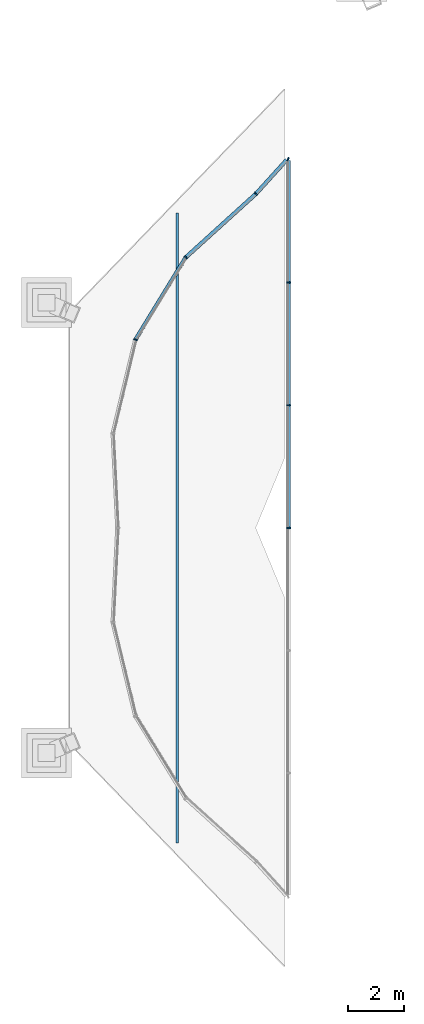
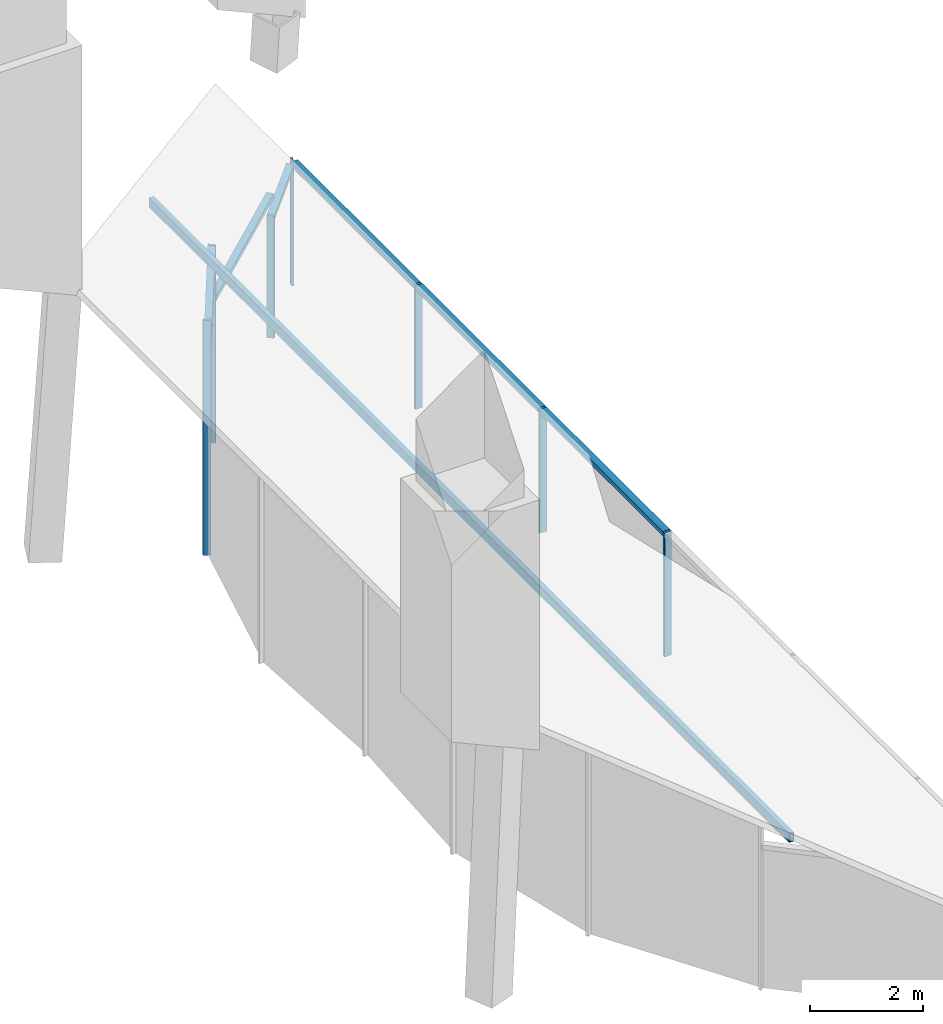
# One storey, part 6 of 8: 14 members, 3 elements without a shape of their own.
"""IFC4 building model written with IfcOpenShell, lengths in metres."""

from ifc_helpers import new_model, si_unit, direction, frame, origin, origin_2d, place, context, subcontext, project, spatial, rectangle, hollow_rectangle, extrude, material, material_profile, profile_set, type_object, element, aggregate, save


model = new_model("IFC4")

# Units and contexts
model_context = context("Model", 3, precision=1e-05, world=origin(), true_north=direction((0.0, 1.0)))
body_context = subcontext(model_context, "Body", "Model", "MODEL_VIEW")
ifc_project = project(units=[si_unit("LENGTHUNIT", "METRE"), si_unit("AREAUNIT", "SQUARE_METRE"), si_unit("VOLUMEUNIT", "CUBIC_METRE"), si_unit("PLANEANGLEUNIT", "RADIAN"), si_unit("MASSUNIT", "GRAM", prefix="KILO")], contexts=[model_context])

# Site, building, storey
site_placement = place(None, origin())
site = spatial("IfcSite", under=ifc_project, at=site_placement, CompositionType="ELEMENT")
building_placement = place(site_placement, origin())
building = spatial("IfcBuilding", under=site, at=building_placement, Name="Ogive Gate Towers", CompositionType="ELEMENT")
storey_placement = place(building_placement, frame((0.0, 0.0, 314.0)))
storey = spatial("IfcBuildingStorey", under=building, at=storey_placement, Name="L74", CompositionType="ELEMENT", Elevation=314.0)

# Curtain wall, members
ifc_material_1 = material(Name="Pale metal aluminium", Category="aluminium")
curtain_wall_type = type_object("IfcCurtainWallType", Name="Crown lean wall", PredefinedType="NOTDEFINED", material=ifc_material_1)
curtain_wall_1_placement = place(storey_placement, origin())
curtain_wall_1 = element("IfcCurtainWall", 1, at=curtain_wall_1_placement, inside=storey, type_object=curtain_wall_type, Name="CW5 T2 ECW01", PredefinedType="NOTDEFINED")
ifc_material_profile_1 = material_profile(ifc_material_1, rectangle(XDim=0.139892578125, YDim=0.050048828125, at=origin_2d()), Name="50 x 140 aluminium box")
ifc_profile_set_1 = profile_set([ifc_material_profile_1], Name="Pale metal aluminium")
member_type_1 = type_object("IfcMemberType", Name="Crown lean wall mullion 50 x 140", PredefinedType="MULLION", material=ifc_profile_set_1)
member_1_placement = place(storey_placement, frame((24.00634765625, 11.991455078125, -0.300048828125), z_axis=(0.0, 0.0, 1.0), x_axis=(0.741121054892, -0.671371418811, 0.0)))
member_1 = element("IfcMember", 2, at=member_1_placement, type_object=member_type_1, Name="CW5 mullion", PredefinedType="MULLION", context=body_context, shape_type="SweptSolid", body=[
    extrude(rectangle(XDim=0.139892578125, YDim=0.050048828125, at=origin_2d()), origin(), (0.0, 0.0, 1.0), 2.63525390625),
])
member_2_placement = place(storey_placement, frame((25.157958984375, 13.234130859375, -0.300048828125), z_axis=(0.0, 0.0, 1.0), x_axis=(-0.359785118413, -0.933035191495, 0.0)))
member_2 = element("IfcMember", 3, at=member_2_placement, type_object=member_type_1, Name="CW5 mullion", PredefinedType="MULLION", context=body_context, shape_type="SweptSolid", body=[
    extrude(rectangle(XDim=0.139892578125, YDim=0.050048828125, at=origin_2d()), origin(), (0.0, 0.0, 1.0), 2.679931640625),
])
member_3_placement = place(storey_placement, frame((25.177001953125, 8.80419921875, -0.300048828125), z_axis=(0.0, 0.0, 1.0), x_axis=(-1.0, 0.0, 0.0)))
member_3 = element("IfcMember", 4, at=member_3_placement, type_object=member_type_1, Name="CW5 mullion", PredefinedType="MULLION", context=body_context, shape_type="SweptSolid", body=[
    extrude(rectangle(XDim=0.139892578125, YDim=0.050048828125, at=origin_2d()), origin(), (0.0, 0.0, 1.0), 2.679931640625),
])

curtain_wall_2_placement = place(storey_placement, origin())
curtain_wall_2 = element("IfcCurtainWall", 5, at=curtain_wall_2_placement, inside=storey, type_object=curtain_wall_type, Name="CW5 T2 ECW02", PredefinedType="NOTDEFINED")
member_4_placement = place(storey_placement, frame((19.68310546875, 6.7587890625, -0.300048828125), z_axis=(0.0, 0.0, 1.0), x_axis=(0.923879532511, -0.382683432365, 0.0)))
member_4 = element("IfcMember", 6, at=member_4_placement, type_object=member_type_1, Name="CW5 mullion", PredefinedType="MULLION", context=body_context, shape_type="SweptSolid", body=[
    extrude(rectangle(XDim=0.139892578125, YDim=0.050048828125, at=origin_2d()), origin(), (0.0, 0.0, 1.0), 5.067138671875),
])
member_5_placement = place(storey_placement, frame((21.48974609375, 9.711669921875, -0.300048828125), z_axis=(0.0, 0.0, 1.0), x_axis=(0.770034644494, -0.638002073884, 0.0)))
member_5 = element("IfcMember", 7, at=member_5_placement, type_object=member_type_1, Name="CW5 mullion", PredefinedType="MULLION", context=body_context, shape_type="SweptSolid", body=[
    extrude(rectangle(XDim=0.139892578125, YDim=0.050048828125, at=origin_2d()), origin(), (0.0, 0.0, 1.0), 4.26123046875),
])

curtain_wall_3_placement = place(storey_placement, origin())
curtain_wall_3 = element("IfcCurtainWall", 8, at=curtain_wall_3_placement, inside=storey, type_object=curtain_wall_type, Name="CW5 T2 ECW02b", PredefinedType="NOTDEFINED")
member_6_placement = place(storey_placement, frame((25.177001953125, 4.402099609375, -0.300048828125), z_axis=(0.0, 0.0, 1.0), x_axis=(-1.0, 0.0, 0.0)))
member_6 = element("IfcMember", 9, at=member_6_placement, type_object=member_type_1, Name="CW5 mullion", PredefinedType="MULLION", context=body_context, shape_type="SweptSolid", body=[
    extrude(rectangle(XDim=0.139892578125, YDim=0.050048828125, at=origin_2d()), origin(), (0.0, 0.0, 1.0), 2.679931640625),
])
member_7_placement = place(storey_placement, frame((25.177001953125, 0.0, -0.300048828125), z_axis=(0.0, 0.0, 1.0), x_axis=(-1.0, 0.0, 0.0)))
member_7 = element("IfcMember", 10, at=member_7_placement, type_object=member_type_1, Name="CW5 mullion", PredefinedType="MULLION", context=body_context, shape_type="SweptSolid", body=[
    extrude(rectangle(XDim=0.139892578125, YDim=0.050048828125, at=origin_2d()), origin(), (0.0, 0.0, 1.0), 2.679931640625),
])

# Member
ifc_material_profile_2 = material_profile(ifc_material_1, rectangle(XDim=0.139892578125, YDim=0.10009765625, at=origin_2d()), Name="100 x 140 aluminium box")
ifc_profile_set_2 = profile_set([ifc_material_profile_2], Name="Pale metal aluminium")
member_type_2 = type_object("IfcMemberType", Name="Crown lean wall transom 100 x 140", PredefinedType="USERDEFINED", material=ifc_profile_set_2)
member_8_placement = place(storey_placement, frame((24.023193359375, 12.010009765625, 2.28515625), z_axis=(0.671348330899, 0.74114196926, 0.0), x_axis=(-0.74114196926, 0.671348330899, 0.0)))
member_8 = element("IfcMember", 11, at=member_8_placement, type_object=member_type_2, Name="CW5 transom", ObjectType="TRANSOM", PredefinedType="USERDEFINED", context=body_context, shape_type="SweptSolid", body=[
    extrude(rectangle(XDim=0.139892578125, YDim=0.10009765625, at=origin_2d()), origin(), (0.0, 0.0, 1.0), 1.6162109375),
])

member_9_placement = place(storey_placement, frame((25.177001953125, 13.18115234375, 2.330078125), z_axis=(0.0, -1.0, 0.0), x_axis=(1.0, 0.0, 0.0)))
member_9 = element("IfcMember", 12, at=member_9_placement, type_object=member_type_2, Name="CW5 transom", ObjectType="TRANSOM", PredefinedType="USERDEFINED", context=body_context, shape_type="SweptSolid", body=[
    extrude(rectangle(XDim=0.139892578125, YDim=0.10009765625, at=origin_2d()), origin(), (0.0, 0.0, 1.0), 4.35205078125),
])

aggregate(curtain_wall_1, [member_1, member_2, member_8, member_3, member_9])

member_10_placement = place(storey_placement, frame((19.698486328125, 6.7841796875, 3.9111328125), z_axis=(0.521841760864, 0.853042306464, 0.0), x_axis=(-0.853042306464, 0.521841760864, 0.0)))
member_10 = element("IfcMember", 13, at=member_10_placement, type_object=member_type_2, Name="CW5 transom", ObjectType="TRANSOM", PredefinedType="USERDEFINED", context=body_context, shape_type="SweptSolid", body=[
    extrude(rectangle(XDim=0.139892578125, YDim=0.10009765625, at=origin_2d()), origin(), (0.0, 0.0, 1.0), 3.402587890625),
])

member_11_placement = place(storey_placement, frame((21.51123046875, 9.7314453125, 2.78564453125), z_axis=(0.741137897422, 0.67135282602, 0.0), x_axis=(-0.67135282602, 0.741137897422, 0.0)))
member_11 = element("IfcMember", 14, at=member_11_placement, type_object=member_type_2, Name="CW5 transom", ObjectType="TRANSOM", PredefinedType="USERDEFINED", context=body_context, shape_type="SweptSolid", body=[
    extrude(rectangle(XDim=0.139892578125, YDim=0.10009765625, at=origin_2d()), origin(), (0.0, 0.0, 1.0), 3.344482421875),
])

aggregate(curtain_wall_2, [member_4, member_5, member_10, member_11])

member_12_placement = place(storey_placement, frame((25.177001953125, 8.779052734375, 2.330078125), z_axis=(0.0, -1.0, 0.0), x_axis=(1.0, 0.0, 0.0)))
member_12 = element("IfcMember", 15, at=member_12_placement, type_object=member_type_2, Name="CW5 transom", ObjectType="TRANSOM", PredefinedType="USERDEFINED", context=body_context, shape_type="SweptSolid", body=[
    extrude(rectangle(XDim=0.139892578125, YDim=0.10009765625, at=origin_2d()), origin(), (0.0, 0.0, 1.0), 4.35205078125),
])

member_13_placement = place(storey_placement, frame((25.177001953125, 4.376953125, 2.330078125), z_axis=(0.0, -1.0, 0.0), x_axis=(1.0, 0.0, 0.0)))
member_13 = element("IfcMember", 16, at=member_13_placement, type_object=member_type_2, Name="CW5 transom", ObjectType="TRANSOM", PredefinedType="USERDEFINED", context=body_context, shape_type="SweptSolid", body=[
    extrude(rectangle(XDim=0.139892578125, YDim=0.10009765625, at=origin_2d()), origin(), (0.0, 0.0, 1.0), 4.35205078125),
])

aggregate(curtain_wall_3, [member_6, member_12, member_7, member_13])

ifc_material_2 = material(Name="Steel SM460", Category="steel")
ifc_material_profile_3 = material_profile(ifc_material_2, hollow_rectangle(XDim=0.10009765625, YDim=0.199951171875, WallThickness=0.008056640625, at=origin_2d()), Name="RHS 200x100x8")
ifc_profile_set_3 = profile_set([ifc_material_profile_3], Name="Steel SM460")
member_type_3 = type_object("IfcMemberType", Name="Crown roof purlin RHS 200 x 100", PredefinedType="PURLIN", material=ifc_profile_set_3)
member_14_placement = place(storey_placement, frame((21.181396484375, 11.31103515625, 4.029296875), z_axis=(0.0, -1.0, 0.0), x_axis=(1.0, 0.0, 0.0)))
element("IfcMember", 17, at=member_14_placement, inside=storey, type_object=member_type_3, Name="Crown roof purlin", PredefinedType="PURLIN", context=body_context, shape_type="SweptSolid", body=[
    extrude(hollow_rectangle(XDim=0.10009765625, YDim=0.199951171875, WallThickness=0.008056640625, at=origin_2d()), origin(), (0.0, 0.0, 1.0), 22.6220703125),
])

save(model, "model.ifc")
